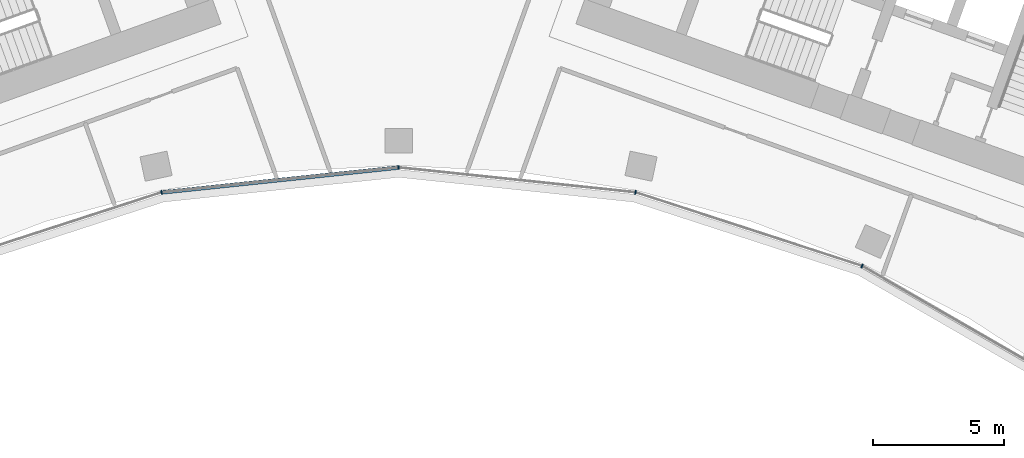
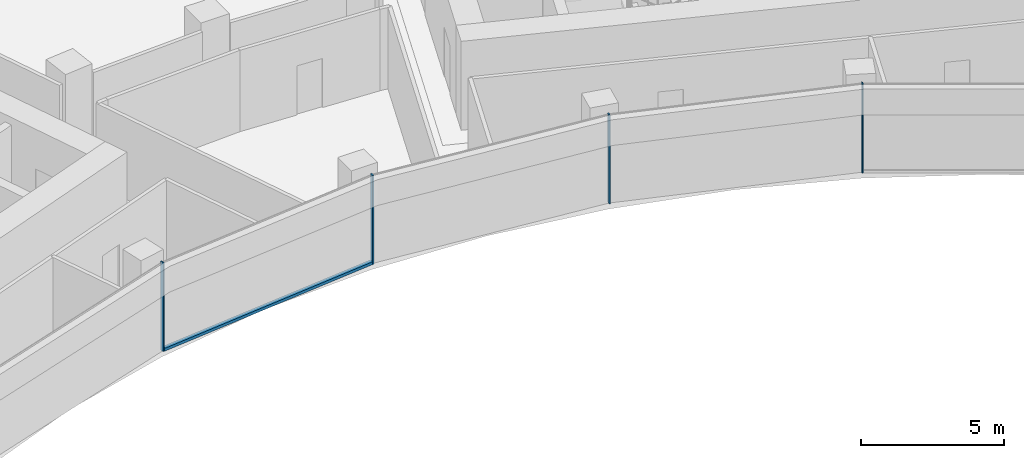
# One storey, part 4 of 17: 5 members, 1 element without a shape of its own.
"""IFC4 building model written with IfcOpenShell, lengths in metres."""

import ifcopenshell
import ifcopenshell.guid

model = None  # the IFC model being written
_history = None  # IfcOwnerHistory: only IFC2X3 demands one
_inside = {}  # id of a spatial element -> (the spatial element, [elements in it])
_under = {}  # id of a project, library or spatial element -> (it, [spatial elements below it])
_declared = {}  # id of a project -> (the project, [libraries it declares])
_typed = {}  # id of a type object -> (the type object, [elements of that type])
_made_of = {}  # id of a material, layer set ... -> (it, [elements and type objects made of it])


def new_model(schema):
    """Start an empty IFC model of exactly this schema.

    Asked for "IFC4X3", IfcOpenShell would pick the latest addendum, in which some entities
    have other attributes; the version numbers below select the first issue.
    IFC2X3 requires an IfcOwnerHistory on every rooted entity: one is made here for all.
    """
    global model, _history
    if schema == "IFC4X3":
        model = ifcopenshell.file(schema_version=(4, 3, 0, 0))
    else:
        model = ifcopenshell.file(schema=schema)
    _inside.clear()
    _under.clear()
    _declared.clear()
    _typed.clear()
    _made_of.clear()
    _history = None
    if model.schema == "IFC2X3":
        org = make("IfcOrganization", Name="unknown")
        user = make(
            "IfcPersonAndOrganization",
            ThePerson=make("IfcPerson", FamilyName="unknown"),
            TheOrganization=org,
        )
        app = make(
            "IfcApplication",
            ApplicationDeveloper=org,
            Version="unknown",
            ApplicationFullName="unknown",
            ApplicationIdentifier="unknown",
        )
        _history = make(
            "IfcOwnerHistory",
            OwningUser=user,
            OwningApplication=app,
            ChangeAction="ADDED",
            CreationDate=0,
        )
    return model


def make(cls, **values):
    """One entity of the class cls with the attributes given. An attribute that is None is left unset."""
    return model.create_entity(
        cls, **{name: value for name, value in values.items() if value is not None}
    )


def rooted(cls, **values):
    """An entity with a GlobalId (a new one), such as an element, a storey or a relation."""
    return make(cls, GlobalId=ifcopenshell.guid.new(), OwnerHistory=_history, **values)


def si_unit(unit_type, name, prefix=None):
    """IfcSIUnit, for example si_unit("LENGTHUNIT", "METRE", prefix="MILLI")."""
    return make("IfcSIUnit", UnitType=unit_type, Prefix=prefix, Name=name)


def assignment(units):
    """IfcUnitAssignment: the units of a project."""
    return None if units is None else make("IfcUnitAssignment", Units=units)


def point(xyz):
    """IfcCartesianPoint."""
    return None if xyz is None else make("IfcCartesianPoint", Coordinates=xyz)


def direction(xyz):
    """IfcDirection."""
    return None if xyz is None else make("IfcDirection", DirectionRatios=xyz)


def frame(location, z_axis=None, x_axis=None):
    """IfcAxis2Placement3D, a coordinate frame: its origin and axes. An axis left out is left unset."""
    return make(
        "IfcAxis2Placement3D",
        Location=point(location),
        Axis=direction(z_axis),
        RefDirection=direction(x_axis),
    )


def frame_2d(location, x_axis=None):
    """IfcAxis2Placement2D, a coordinate frame in the plane: its origin and x axis."""
    return make(
        "IfcAxis2Placement2D", Location=point(location), RefDirection=direction(x_axis)
    )


def origin():
    """The frame at (0, 0, 0) with its axes left unset."""
    return frame((0.0, 0.0, 0.0))


def origin_2d():
    """The frame at (0, 0) in the plane with its x axis left unset."""
    return frame_2d((0.0, 0.0))


def place(relative_to, where):
    """IfcLocalPlacement: puts the frame where relative to a parent placement (None: the world)."""
    return make(
        "IfcLocalPlacement", PlacementRelTo=relative_to, RelativePlacement=where
    )


def context(
    kind, dimensions, precision=None, world=None, true_north=None, identifier=None
):
    """IfcGeometricRepresentationContext, for example the 3D "Model" context."""
    return make(
        "IfcGeometricRepresentationContext",
        ContextIdentifier=identifier,
        ContextType=kind,
        CoordinateSpaceDimension=dimensions,
        Precision=precision,
        WorldCoordinateSystem=world,
        TrueNorth=true_north,
    )


def subcontext(parent, identifier, kind, view, scale=None):
    """IfcGeometricRepresentationSubContext, for example "Body" below "Model"."""
    return make(
        "IfcGeometricRepresentationSubContext",
        ContextIdentifier=identifier,
        ContextType=kind,
        ParentContext=parent,
        TargetScale=scale,
        TargetView=view,
    )


def project(units=None, contexts=None):
    """IfcProject with its units and contexts."""
    return rooted(
        "IfcProject",
        Name="project",
        RepresentationContexts=contexts,
        UnitsInContext=assignment(units),
    )


def spatial(cls, under=None, at=None, **own):
    """A site, building, storey or space (cls), placed at a placement, below another one or the project."""
    s = rooted(cls, ObjectPlacement=at, **own)
    if under is not None:
        _under.setdefault(under.id(), (under, []))[1].append(s)
    return s


def profile(cls, at=None, kind="AREA", **sizes):
    """A parametric profile (cls). Its sizes go by their IFC names, for example OverallWidth=200.0."""
    return make(cls, ProfileType=kind, Position=at, **sizes)


def rectangle(**sizes):
    """IfcRectangleProfileDef."""
    return profile("IfcRectangleProfileDef", **sizes)


def extrude(swept, where, along, depth):
    """IfcExtrudedAreaSolid: the profile swept, set in the frame where, extruded along a direction by depth."""
    return make(
        "IfcExtrudedAreaSolid",
        SweptArea=swept,
        Position=where,
        ExtrudedDirection=direction(along),
        Depth=depth,
    )


def shape(context_of_items, identifier, shape_type, items):
    """IfcShapeRepresentation: the items that make up one representation, for example the "Body"."""
    return make(
        "IfcShapeRepresentation",
        ContextOfItems=context_of_items,
        RepresentationIdentifier=identifier,
        RepresentationType=shape_type,
        Items=items,
    )


def material(Name=None, Category=None):
    """IfcMaterial."""
    return make("IfcMaterial", Name=Name, Category=Category)


def layer(
    of_material, thickness, ventilated=None, Name=None, Category=None, Priority=None
):
    """IfcMaterialLayer: one layer of a wall or slab, of a material (None: an air gap)."""
    return make(
        "IfcMaterialLayer",
        Material=of_material,
        LayerThickness=thickness,
        IsVentilated=ventilated,
        Name=Name,
        Category=Category,
        Priority=Priority,
    )


def layer_set(layers, Name=None):
    """IfcMaterialLayerSet."""
    return make("IfcMaterialLayerSet", MaterialLayers=layers, LayerSetName=Name)


def material_profile(
    of_material, cross_section, Name=None, Category=None, Priority=None
):
    """IfcMaterialProfile: a cross section and its material."""
    return make(
        "IfcMaterialProfile",
        Name=Name,
        Material=of_material,
        Profile=cross_section,
        Priority=Priority,
        Category=Category,
    )


def profile_set(profiles, Name=None, composite=None):
    """IfcMaterialProfileSet."""
    return make(
        "IfcMaterialProfileSet",
        Name=Name,
        MaterialProfiles=profiles,
        CompositeProfile=composite,
    )


def made_of(thing, what):
    """Note that an element or type object is made of a material, layer set ...; save() writes the relation."""
    if what is not None:
        _made_of.setdefault(what.id(), (what, []))[1].append(thing)
    return thing


def type_object(cls, material=None, **own):
    """A type object (cls), such as IfcWallType, which elements share."""
    return made_of(rooted(cls, **own), material)


def element(
    cls,
    number,
    at=None,
    inside=None,
    cuts=None,
    type_object=None,
    material=None,
    context=None,
    identifier="Body",
    shape_type=None,
    held_by="IfcProductDefinitionShape",
    body=None,
    shapes=None,
    **own,
):
    """One element of the class cls, such as IfcWall. Its Tag is "e" and its number.

    at: its placement. inside: the storey or other place that contains it. cuts: it is an
    opening in that element (IfcRelVoidsElement). A single representation is given by context,
    identifier, shape_type and body (its items); several are given by shapes. held_by: the class
    of the entity that holds the representations. save() writes the other relations.
    """
    e = rooted(cls, Tag="e%d" % number, ObjectPlacement=at, **own)
    if body is not None:
        shapes = [shape(context, identifier, shape_type, body)]
    if shapes is not None:
        e.Representation = make(held_by, Representations=shapes)
    if inside is not None:
        _inside.setdefault(inside.id(), (inside, []))[1].append(e)
    if cuts is not None:
        rooted(
            "IfcRelVoidsElement", RelatingBuildingElement=cuts, RelatedOpeningElement=e
        )
    if type_object is not None:
        _typed.setdefault(type_object.id(), (type_object, []))[1].append(e)
    return made_of(e, material)


def aggregate(whole, parts):
    """IfcRelAggregates: a whole, such as a stair, and the parts it consists of."""
    return rooted("IfcRelAggregates", RelatingObject=whole, RelatedObjects=parts)


def save(model, path):
    """Write the relations noted so far, then the file.

    IfcRelAggregates (storeys below a building ...), IfcRelContainedInSpatialStructure (elements
    in a storey), IfcRelDefinesByType, IfcRelAssociatesMaterial and IfcRelDeclares: one each for
    every whole, place, type object, material and project.
    """
    for whole, parts in _under.values():
        aggregate(whole, parts)
    for where, things in _inside.values():
        rooted(
            "IfcRelContainedInSpatialStructure",
            RelatedElements=things,
            RelatingStructure=where,
        )
    for kind, things in _typed.values():
        rooted("IfcRelDefinesByType", RelatedObjects=things, RelatingType=kind)
    for what, things in _made_of.values():
        rooted("IfcRelAssociatesMaterial", RelatedObjects=things, RelatingMaterial=what)
    for by, libraries in _declared.values():
        rooted("IfcRelDeclares", RelatingContext=by, RelatedDefinitions=libraries)
    model.write(path)


model = new_model("IFC4")

# Units and contexts
model_context = context("Model", 3, precision=1e-05, world=origin(), true_north=direction((0.0, 1.0)))
body_context = subcontext(model_context, "Body", "Model", "MODEL_VIEW")
ifc_project = project(units=[si_unit("LENGTHUNIT", "METRE"), si_unit("AREAUNIT", "SQUARE_METRE"), si_unit("VOLUMEUNIT", "CUBIC_METRE"), si_unit("PLANEANGLEUNIT", "RADIAN"), si_unit("MASSUNIT", "GRAM", prefix="KILO")], contexts=[model_context])

# Site, building, storey
site_placement = place(None, origin())
site = spatial("IfcSite", under=ifc_project, at=site_placement, CompositionType="ELEMENT")
building_placement = place(site_placement, origin())
building = spatial("IfcBuilding", under=site, at=building_placement, Name="Stone Belt Terrace Tower", CompositionType="ELEMENT")
storey_placement = place(building_placement, frame((0.0, 0.0, 231.39990234375)))
storey = spatial("IfcBuildingStorey", under=building, at=storey_placement, Name="L56", CompositionType="ELEMENT", Elevation=231.39990234375)

# Curtain wall, members
ifc_material = material(Name="Aluminium 6063-T6 anodised frame", Category="aluminium")
ifc_layer = layer(ifc_material, 0.14990234375)
ifc_layer_set = layer_set([ifc_layer], Name="CW-B unitised concave-face curtain wall")
curtain_wall_type = type_object("IfcCurtainWallType", Name="CW-B unitised concave-face curtain wall", PredefinedType="NOTDEFINED", material=ifc_layer_set)
curtain_wall_placement = place(storey_placement, origin())
curtain_wall = element("IfcCurtainWall", 1, at=curtain_wall_placement, inside=storey, type_object=curtain_wall_type, Name="CW-B concave face L56", PredefinedType="NOTDEFINED")
ifc_material_profile_1 = material_profile(ifc_material, rectangle(XDim=0.14990234375, YDim=0.050048828125, at=origin_2d()), Name="Aluminium 6063-T6 50x150")
ifc_profile_set_1 = profile_set([ifc_material_profile_1], Name="Aluminium 6063-T6 anodised frame")
member_type_1 = type_object("IfcMemberType", Name="CW-B mullion 50 x 150", PredefinedType="MULLION", material=ifc_profile_set_1)
member_1_placement = place(storey_placement, frame((-9.028564453125, 42.4755859375, 0.0), z_axis=(0.0, 0.0, 1.0), x_axis=(-0.207911690818, 0.978147600734, 0.0)))
member_1 = element("IfcMember", 2, at=member_1_placement, type_object=member_type_1, Name="CW-B mullion 4", PredefinedType="MULLION", context=body_context, shape_type="SweptSolid", body=[
    extrude(rectangle(XDim=0.14990234375, YDim=0.050048828125, at=origin_2d()), origin(), (0.0, 0.0, 1.0), 3.800048828125),
])
member_2_placement = place(storey_placement, frame((0.0, 43.424560546875, 0.0), z_axis=(0.0, 0.0, 1.0), x_axis=(0.0, 1.0, 0.0)))
member_2 = element("IfcMember", 3, at=member_2_placement, type_object=member_type_1, Name="CW-B mullion 5", PredefinedType="MULLION", context=body_context, shape_type="SweptSolid", body=[
    extrude(rectangle(XDim=0.14990234375, YDim=0.050048828125, at=origin_2d()), origin(), (0.0, 0.0, 1.0), 3.800048828125),
])
member_3_placement = place(storey_placement, frame((9.028564453125, 42.4755859375, 0.0), z_axis=(0.0, 0.0, 1.0), x_axis=(0.207911690818, 0.978147600734, 0.0)))
member_3 = element("IfcMember", 4, at=member_3_placement, type_object=member_type_1, Name="CW-B mullion 6", PredefinedType="MULLION", context=body_context, shape_type="SweptSolid", body=[
    extrude(rectangle(XDim=0.14990234375, YDim=0.050048828125, at=origin_2d()), origin(), (0.0, 0.0, 1.0), 3.800048828125),
])
member_4_placement = place(storey_placement, frame((17.662353515625, 39.67041015625, 0.0), z_axis=(0.0, 0.0, 1.0), x_axis=(0.406736643076, 0.913545457643, 0.0)))
member_4 = element("IfcMember", 5, at=member_4_placement, type_object=member_type_1, Name="CW-B mullion 7", PredefinedType="MULLION", context=body_context, shape_type="SweptSolid", body=[
    extrude(rectangle(XDim=0.14990234375, YDim=0.050048828125, at=origin_2d()), origin(), (0.0, 0.0, 1.0), 3.800048828125),
])
ifc_material_profile_2 = material_profile(ifc_material, rectangle(XDim=0.14990234375, YDim=0.1201171875, at=origin_2d()), Name="Aluminium 6063-T6 150x120")
ifc_profile_set_2 = profile_set([ifc_material_profile_2], Name="Aluminium 6063-T6 anodised frame")
member_type_2 = type_object("IfcMemberType", Name="CW-B transom 120 x 150", PredefinedType="USERDEFINED", material=ifc_profile_set_2)
member_5_placement = place(storey_placement, frame((-8.995849609375, 42.47900390625, 0.06005859375), z_axis=(0.994521323407, 0.104533904969, 0.0), x_axis=(-0.104533904969, 0.994521323407, 0.0)))
member_5 = element("IfcMember", 6, at=member_5_placement, type_object=member_type_2, Name="CW-B transom 4.1", ObjectType="TRANSOM", PredefinedType="USERDEFINED", context=body_context, shape_type="SweptSolid", body=[
    extrude(rectangle(XDim=0.14990234375, YDim=0.1201171875, at=origin_2d()), origin(), (0.0, 0.0, 1.0), 9.0126953125),
])
aggregate(curtain_wall, [member_1, member_2, member_3, member_4, member_5])

save(model, "model.ifc")
